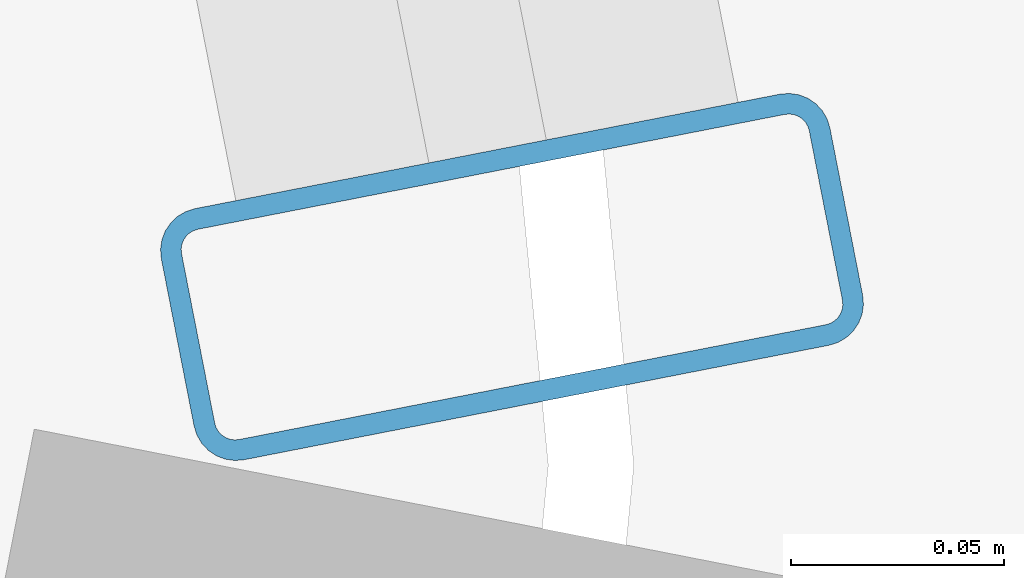
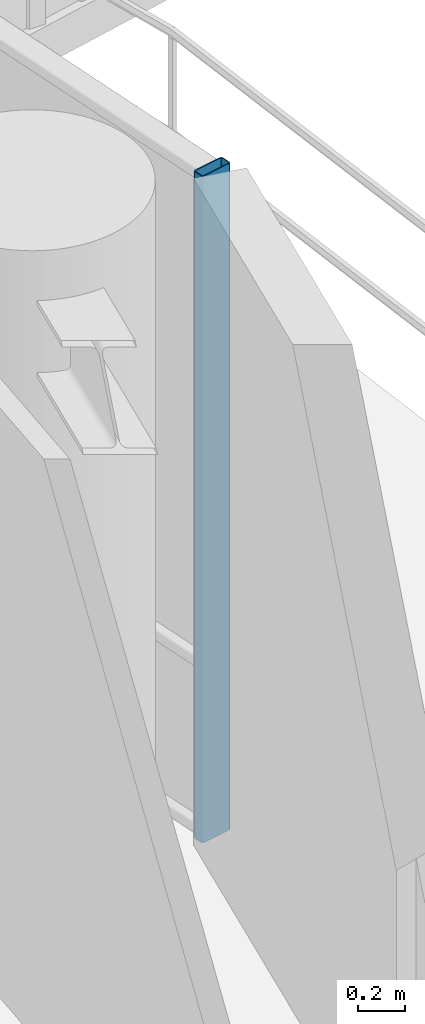
# One storey, part 14 of 31: 1 member, 1 element without a shape of its own.
"""IFC4 building model written with IfcOpenShell, lengths in metres."""

from ifc_helpers import new_model, si_unit, direction, frame, origin, origin_2d, place, context, subcontext, project, spatial, hollow_rectangle, extrude, material, layer, layer_set, material_profile, profile_set, type_object, element, aggregate, save


model = new_model("IFC4")

# Units and contexts
model_context = context("Model", 3, precision=1e-05, world=origin(), true_north=direction((0.0, 1.0)))
body_context = subcontext(model_context, "Body", "Model", "MODEL_VIEW")
ifc_project = project(units=[si_unit("LENGTHUNIT", "METRE"), si_unit("AREAUNIT", "SQUARE_METRE"), si_unit("VOLUMEUNIT", "CUBIC_METRE"), si_unit("PLANEANGLEUNIT", "RADIAN"), si_unit("MASSUNIT", "GRAM", prefix="KILO")], contexts=[model_context])

# Site, building, storey
site_placement = place(None, origin())
site = spatial("IfcSite", under=ifc_project, at=site_placement, CompositionType="ELEMENT")
building_placement = place(site_placement, origin())
building = spatial("IfcBuilding", under=site, at=building_placement, Name="Kelanora Arch Commons", CompositionType="ELEMENT")
storey_placement = place(building_placement, frame((0.0, 0.0, 200.699951171875)))
storey = spatial("IfcBuildingStorey", under=building, at=storey_placement, Name="L51", CompositionType="ELEMENT", Elevation=200.699951171875)

# Curtain wall, member
ifc_material_1 = material(Name="Terracotta ceramic-fritted low-E glass and aluminium", Category="masonry")
ifc_layer = layer(ifc_material_1, 0.175048828125)
ifc_layer_set = layer_set([ifc_layer], Name="Terracotta ceramic-fritted low-E glass and aluminium")
curtain_wall_type = type_object("IfcCurtainWallType", Name="CW-SYS-02", PredefinedType="NOTDEFINED", material=ifc_layer_set)
curtain_wall_placement = place(storey_placement, origin())
curtain_wall = element("IfcCurtainWall", 1, at=curtain_wall_placement, inside=storey, type_object=curtain_wall_type, Name="Unitised Curtain Wall L51-B00", PredefinedType="NOTDEFINED")
ifc_material_2 = material(Name="Powder-coated aluminium terracotta", Category="masonry")
ifc_material_profile = material_profile(ifc_material_2, hollow_rectangle(XDim=0.159912109375, YDim=0.06005859375, WallThickness=0.0048828125, InnerFilletRadius=0.0048828125, OuterFilletRadius=0.010009765625, at=origin_2d()), Name="CWM160x60")
ifc_profile_set = profile_set([ifc_material_profile], Name="Powder-coated aluminium terracotta")
member_type = type_object("IfcMemberType", Name="CWM-STD", PredefinedType="MULLION", material=ifc_profile_set)
member_placement = place(storey_placement, frame((96.19140625, 58.044189453125, 0.0), z_axis=(0.0, 0.0, 1.0), x_axis=(-0.981381438349, -0.192068926335, 0.0)))
member = element("IfcMember", 2, at=member_placement, type_object=member_type, Name="CW-02 mullion 1", PredefinedType="MULLION", context=body_context, shape_type="SweptSolid", body=[
    extrude(hollow_rectangle(XDim=0.159912109375, YDim=0.06005859375, WallThickness=0.0048828125, InnerFilletRadius=0.0048828125, OuterFilletRadius=0.010009765625, at=origin_2d()), origin(), (0.0, 0.0, 1.0), 3.47509765625),
])
aggregate(curtain_wall, [member])

save(model, "model.ifc")
